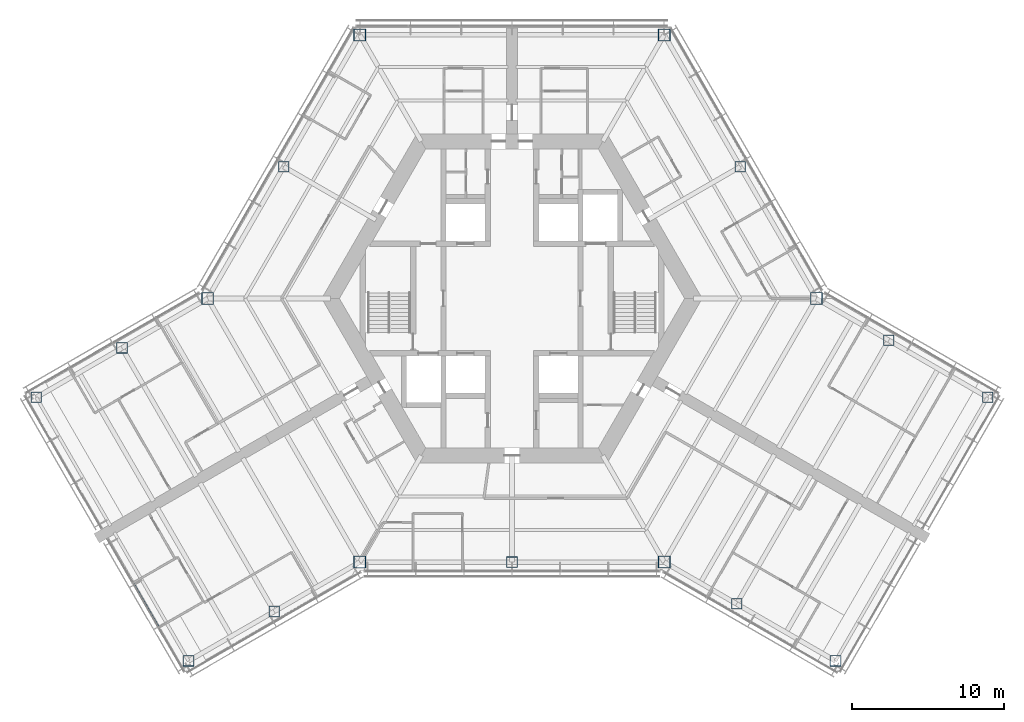
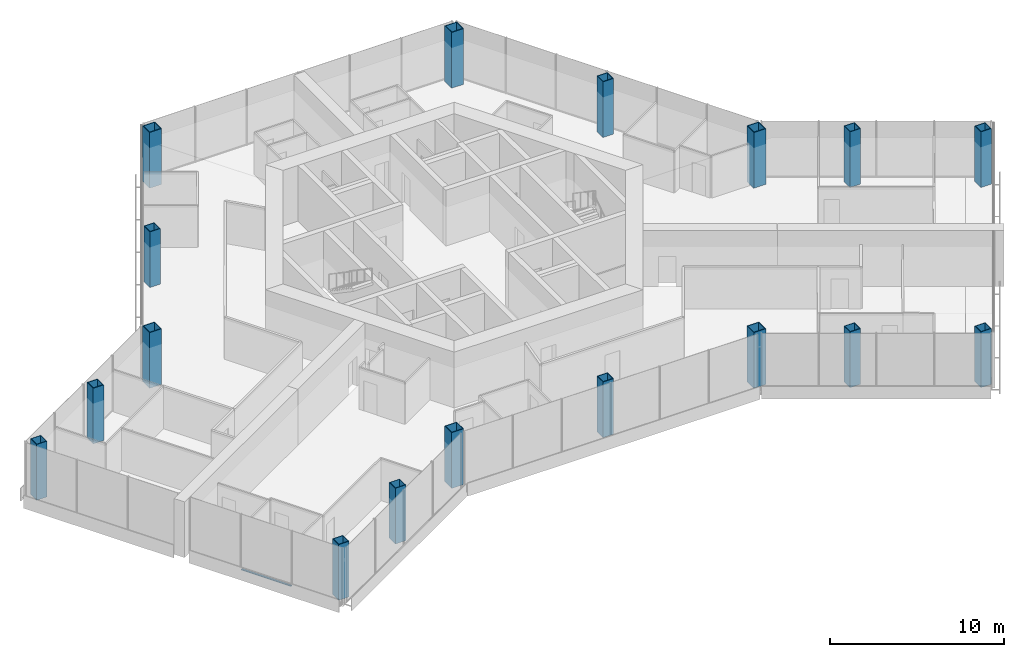
# One storey, part 1 of 18: 17 columns, 1 member, 1 element without a shape of its own.
"""IFC4 building model written with IfcOpenShell, lengths in metres."""

from ifc_helpers import new_model, si_unit, direction, frame, origin, origin_2d, place, context, subcontext, project, spatial, rectangle, hollow_rectangle, extrude, material, material_profile, profile_set, type_object, element, aggregate, save


model = new_model("IFC4")

# Units and contexts
model_context = context("Model", 3, precision=1e-05, world=origin(), true_north=direction((0.0, 1.0)))
body_context = subcontext(model_context, "Body", "Model", "MODEL_VIEW")
ifc_project = project(units=[si_unit("LENGTHUNIT", "METRE"), si_unit("AREAUNIT", "SQUARE_METRE"), si_unit("VOLUMEUNIT", "CUBIC_METRE"), si_unit("PLANEANGLEUNIT", "RADIAN"), si_unit("MASSUNIT", "GRAM", prefix="KILO")], contexts=[model_context])

# Site, building, storey
site_placement = place(None, origin())
site = spatial("IfcSite", under=ifc_project, at=site_placement, CompositionType="ELEMENT")
building_placement = place(site_placement, origin())
building = spatial("IfcBuilding", under=site, at=building_placement, Name="Kasaneha Research Tower", CompositionType="ELEMENT")
storey_placement = place(building_placement, frame((0.0, 0.0, 191.60009765625)))
storey = spatial("IfcBuildingStorey", under=building, at=storey_placement, Name="L48", CompositionType="ELEMENT", Elevation=191.60009765625)

# Columns
ifc_material_1 = material(Name="Steel SN490C", Category="steel")
ifc_material_profile_1 = material_profile(ifc_material_1, hollow_rectangle(XDim=0.800048828125, YDim=0.800048828125, WallThickness=0.044921875, at=origin_2d()), Name="BOX-800x800x45")
ifc_profile_set_1 = profile_set([ifc_material_profile_1], Name="Steel SN490C")
column_type_1 = type_object("IfcColumnType", Name="C3A column BOX-800x800x45", PredefinedType="COLUMN", material=ifc_profile_set_1)
for number, where, z_axis, x_axis, name in (
    (1, (20.0, 0.0, 0.0), (0.0, 0.0, 1.0), (1.0, 0.0, 0.0), "Column V0 L48"),
    (2, (10.0, 17.320556640625, 0.0), (0.0, 0.0, 1.0), (1.0, 0.0, 0.0), "Column V1 L48"),
    (3, (-10.0, 17.320556640625, 0.0), (0.0, 0.0, 1.0), (1.0, 0.0, 0.0), "Column V2 L48"),
    (4, (-20.0, 0.0, 0.0), (0.0, 0.0, 1.0), (1.0, 0.0, 0.0), "Column V3 L48"),
    (5, (-10.0, -17.320556640625, 0.0), (0.0, 0.0, 1.0), (1.0, 0.0, 0.0), "Column V4 L48"),
    (6, (10.0, -17.320556640625, 0.0), (0.0, 0.0, 1.0), (1.0, 0.0, 0.0), "Column V5 L48"),
):
    element("IfcColumn", number, at=place(storey_placement, frame(where, z_axis=z_axis, x_axis=x_axis)), inside=storey, type_object=column_type_1, Name=name, PredefinedType="COLUMN", context=body_context, shape_type="SweptSolid", body=[
        extrude(hollow_rectangle(XDim=0.800048828125, YDim=0.800048828125, WallThickness=0.044921875, at=origin_2d()), origin(), (0.0, 0.0, 1.0), 3.89990234375),
    ])
ifc_material_2 = material(Name="Steel SN490C", Category="steel")
ifc_material_profile_2 = material_profile(ifc_material_2, hollow_rectangle(XDim=0.699951171875, YDim=0.699951171875, WallThickness=0.035888671875, at=origin_2d()), Name="BOX-700x700x36")
ifc_profile_set_2 = profile_set([ifc_material_profile_2], Name="Steel SN490C")
column_type_2 = type_object("IfcColumnType", Name="C3B column BOX-700x700x36", PredefinedType="COLUMN", material=ifc_profile_set_2)
for number, where, z_axis, x_axis, name in (
    (7, (15.0, 8.66015625, 0.0), (0.0, 0.0, 1.0), (1.0, 0.0, 0.0), "Column M030 L48"),
    (8, (-15.0, 8.66015625, 0.0), (0.0, 0.0, 1.0), (1.0, 0.0, 0.0), "Column M150 L48"),
    (9, (0.0, -17.320556640625, 0.0), (0.0, 0.0, 1.0), (1.0, 0.0, 0.0), "Column M270 L48"),
    (10, (-25.629150390625, -3.25, 0.0), (0.0, 0.0, 1.0), (1.0, 0.0, 0.0), "Column BSP L48"),
    (11, (-31.25830078125, -6.5, 0.0), (0.0, 0.0, 1.0), (1.0, 0.0, 0.0), "Column BTP L48"),
    (12, (-15.629150390625, -20.570556640625, 0.0), (0.0, 0.0, 1.0), (1.0, 0.0, 0.0), "Column BSN L48"),
    (13, (-21.25830078125, -23.820556640625, 0.0), (0.0, 0.0, 1.0), (1.0, 0.0, 0.0), "Column BTN L48"),
    (14, (14.76318359375, -20.070556640625, 0.0), (0.0, 0.0, 1.0), (1.0, 0.0, 0.0), "Column CSP L48"),
    (15, (21.25830078125, -23.820556640625, 0.0), (0.0, 0.0, 1.0), (1.0, 0.0, 0.0), "Column CTP L48"),
    (16, (24.76318359375, -2.75, 0.0), (0.0, 0.0, 1.0), (1.0, 0.0, 0.0), "Column CSN L48"),
    (17, (31.25830078125, -6.5, 0.0), (0.0, 0.0, 1.0), (1.0, 0.0, 0.0), "Column CTN L48"),
):
    element("IfcColumn", number, at=place(storey_placement, frame(where, z_axis=z_axis, x_axis=x_axis)), inside=storey, type_object=column_type_2, Name=name, PredefinedType="COLUMN", context=body_context, shape_type="SweptSolid", body=[
        extrude(hollow_rectangle(XDim=0.699951171875, YDim=0.699951171875, WallThickness=0.035888671875, at=origin_2d()), origin(), (0.0, 0.0, 1.0), 3.89990234375),
    ])

# Curtain wall, member
ifc_material_3 = material(Name="Glass and aluminium", Category="aluminium")
curtain_wall_type = type_object("IfcCurtainWallType", Name="Mid-rise office curtain wall", PredefinedType="USERDEFINED", material=ifc_material_3)
curtain_wall_placement = place(storey_placement, origin())
curtain_wall = element("IfcCurtainWall", 18, at=curtain_wall_placement, inside=storey, type_object=curtain_wall_type, Name="CW-O2 L48 run 11a", ObjectType="UNITISED CURTAIN WALL", PredefinedType="USERDEFINED")
ifc_material_4 = material(Name="Aluminium 6063-T6", Category="aluminium")
ifc_material_profile_3 = material_profile(ifc_material_4, rectangle(XDim=0.110107421875, YDim=0.06005859375, at=origin_2d()), Name="CW-O2 transom 110x60")
ifc_profile_set_3 = profile_set([ifc_material_profile_3], Name="Aluminium 6063-T6")
member_type = type_object("IfcMemberType", Name="CW-O2 transom", PredefinedType="USERDEFINED", material=ifc_profile_set_3)
member_placement = place(storey_placement, frame((-24.896240234375, -18.719482421875, 0.02978515625), z_axis=(0.500010745865, -0.866019199568, 0.0), x_axis=(0.866019199568, 0.500010745865, 0.0)))
member = element("IfcMember", 19, at=member_placement, type_object=member_type, Name="CW-O2 transom 2", ObjectType="TRANSOM", PredefinedType="USERDEFINED", context=body_context, shape_type="SweptSolid", body=[
    extrude(rectangle(XDim=0.110107421875, YDim=0.06005859375, at=origin_2d()), origin(), (0.0, 0.0, 1.0), 3.3232421875),
])
aggregate(curtain_wall, [member])

save(model, "model.ifc")
